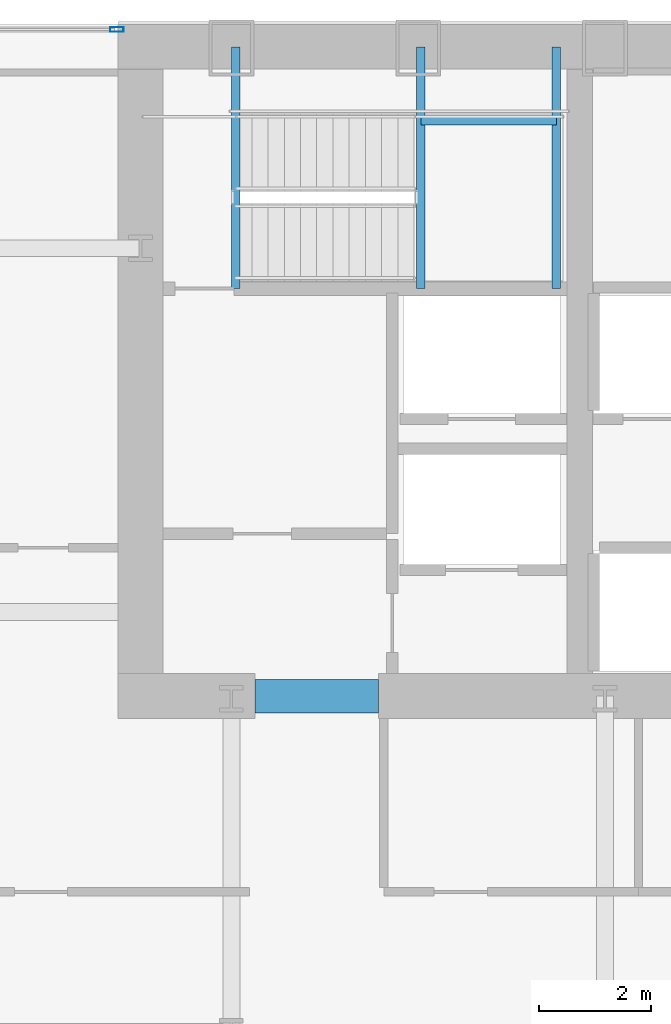
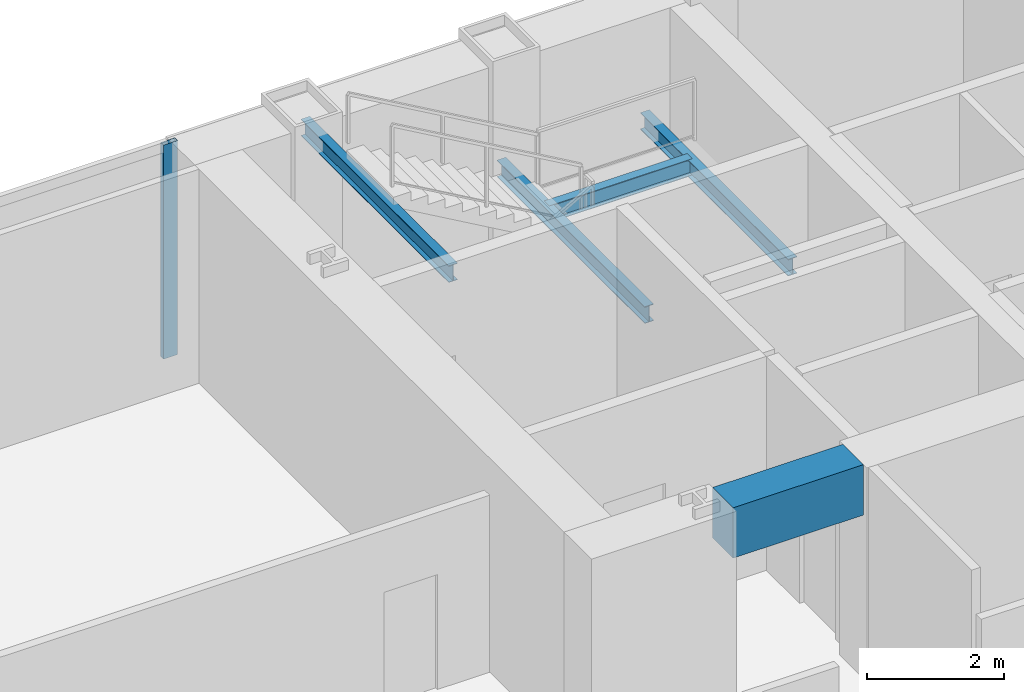
# One storey, part 18 of 35: 5 beams, 1 member, 1 element without a shape of its own.
"""IFC4 building model written with IfcOpenShell, lengths in metres."""

from ifc_helpers import new_model, si_unit, direction, frame, origin, origin_2d, place, context, subcontext, project, spatial, rectangle, hollow_rectangle, i_section, extrude, material, material_profile, profile_set, type_object, element, aggregate, save


model = new_model("IFC4")

# Units and contexts
model_context = context("Model", 3, precision=1e-05, world=origin(), true_north=direction((0.0, 1.0)))
body_context = subcontext(model_context, "Body", "Model", "MODEL_VIEW")
ifc_project = project(units=[si_unit("LENGTHUNIT", "METRE"), si_unit("AREAUNIT", "SQUARE_METRE"), si_unit("VOLUMEUNIT", "CUBIC_METRE"), si_unit("PLANEANGLEUNIT", "RADIAN"), si_unit("MASSUNIT", "GRAM", prefix="KILO")], contexts=[model_context])

# Site, building, storey
site_placement = place(None, origin())
site = spatial("IfcSite", under=ifc_project, at=site_placement, CompositionType="ELEMENT")
building_placement = place(site_placement, origin())
building = spatial("IfcBuilding", under=site, at=building_placement, Name="Khoronbel Lancet Exchange", CompositionType="ELEMENT")
storey_placement = place(building_placement, frame((0.0, 0.0, 53.800048828125)))
storey = spatial("IfcBuildingStorey", under=building, at=storey_placement, Name="L12", CompositionType="ELEMENT", Elevation=53.800048828125)

# Beams
ifc_material_1 = material(Name="Steel S355", Category="steel")
ifc_material_profile_1 = material_profile(ifc_material_1, i_section(OverallWidth=0.14990234375, OverallDepth=0.300048828125, WebThickness=0.007080078125, FlangeThickness=0.0107421875, at=origin_2d()), Name="IPE 300")
ifc_profile_set_1 = profile_set([ifc_material_profile_1], Name="Steel S355")
beam_type_1 = type_object("IfcBeamType", Name="BM-BJ8", PredefinedType="JOIST", material=ifc_profile_set_1)
for number, where, z_axis, x_axis, name in (
    (1, (21.610107421875, 48.97998046875, 1.64990234375), (0.0, 1.0, 0.0), (-1.0, 0.0, 0.0), "Level L12 stair ST1 landing bearer beam 1"),
    (2, (24.030029296875, 48.97998046875, 1.64990234375), (0.0, 1.0, 0.0), (-1.0, 0.0, 0.0), "Level L12 stair ST1 rear landing bearer beam 1"),
):
    element("IfcBeam", number, at=place(storey_placement, frame(where, z_axis=z_axis, x_axis=x_axis)), inside=storey, type_object=beam_type_1, Name=name, PredefinedType="JOIST", context=body_context, shape_type="SweptSolid", body=[
        extrude(i_section(OverallWidth=0.14990234375, OverallDepth=0.300048828125, WebThickness=0.007080078125, FlangeThickness=0.0107421875, at=origin_2d()), origin(), (0.0, 0.0, 1.0), 4.320068359375),
    ])
beam_1_placement = place(storey_placement, frame((21.610107421875, 51.97998046875, 1.64990234375), z_axis=(1.0, 0.0, 0.0), x_axis=(0.0, 1.0, 0.0)))
element("IfcBeam", 3, at=beam_1_placement, inside=storey, type_object=beam_type_1, Name="Level L12 stair ST1 landing cross trimmer beam 1", PredefinedType="JOIST", context=body_context, shape_type="SweptSolid", body=[
    extrude(i_section(OverallWidth=0.14990234375, OverallDepth=0.300048828125, WebThickness=0.007080078125, FlangeThickness=0.0107421875, at=origin_2d()), origin(), (0.0, 0.0, 1.0), 2.419921875),
])
beam_2_placement = place(storey_placement, frame((18.300048828125, 48.97998046875, 3.5400390625), z_axis=(0.0, 1.0, 0.0), x_axis=(-1.0, 0.0, 0.0)))
element("IfcBeam", 4, at=beam_2_placement, inside=storey, type_object=beam_type_1, Name="Level L12 stair ST1 upper-flight arrival trimmer beam", PredefinedType="JOIST", context=body_context, shape_type="SweptSolid", body=[
    extrude(i_section(OverallWidth=0.14990234375, OverallDepth=0.300048828125, WebThickness=0.007080078125, FlangeThickness=0.0107421875, at=origin_2d()), origin(), (0.0, 0.0, 1.0), 4.320068359375),
])
ifc_material_2 = material(Name="Concrete C80/95", Category="concrete")
ifc_material_profile_2 = material_profile(ifc_material_2, rectangle(XDim=0.60009765625, YDim=0.89990234375, at=origin_2d()), Name="RC 600x900")
ifc_profile_set_2 = profile_set([ifc_material_profile_2], Name="Concrete C80/95")
beam_type_2 = type_object("IfcBeamType", Name="BM-BL1", PredefinedType="LINTEL", material=ifc_profile_set_2)
beam_3_placement = place(storey_placement, frame((18.64990234375, 41.699951171875, 3.369873046875), z_axis=(1.0, 0.0, 0.0), x_axis=(0.0, 1.0, 0.0)))
element("IfcBeam", 5, at=beam_3_placement, inside=storey, type_object=beam_type_2, Name="Level L12 rear core coupling lintel L1", PredefinedType="LINTEL", context=body_context, shape_type="SweptSolid", body=[
    extrude(rectangle(XDim=0.60009765625, YDim=0.89990234375, at=origin_2d()), origin(), (0.0, 0.0, 1.0), 2.2001953125),
])

# Curtain wall, member
ifc_material_3 = material(Name="Low-E Solar Control Insulating Glass", Category="glass")
curtain_wall_type = type_object("IfcCurtainWallType", Name="CW-1", PredefinedType="NOTDEFINED", material=ifc_material_3)
curtain_wall_placement = place(storey_placement, origin())
curtain_wall = element("IfcCurtainWall", 6, at=curtain_wall_placement, inside=storey, type_object=curtain_wall_type, Name="Unitised curtain wall CW-L12-NWFLK", PredefinedType="NOTDEFINED")
ifc_material_4 = material(Name="Bronze-Anodised Aluminium 6063-T6", Category="aluminium")
ifc_material_profile_3 = material_profile(ifc_material_4, hollow_rectangle(XDim=0.0849609375, YDim=0.239990234375, WallThickness=0.006103515625, at=origin_2d()), Name="ALU MULLION 85x240")
ifc_profile_set_3 = profile_set([ifc_material_profile_3], Name="Bronze-Anodised Aluminium 6063-T6")
member_type = type_object("IfcMemberType", Name="MEM-CWM1", PredefinedType="MULLION", material=ifc_profile_set_3)
member_placement = place(storey_placement, frame((16.177490234375, 53.610107421875, 0.0), z_axis=(0.0, 0.0, 1.0), x_axis=(0.0, -1.0, 0.0)))
member = element("IfcMember", 7, at=member_placement, type_object=member_type, Name="CW1 mullion 1", PredefinedType="MULLION", context=body_context, shape_type="SweptSolid", body=[
    extrude(hollow_rectangle(XDim=0.0849609375, YDim=0.239990234375, WallThickness=0.006103515625, at=origin_2d()), origin(), (0.0, 0.0, 1.0), 3.820068359375),
])
aggregate(curtain_wall, [member])

save(model, "model.ifc")
